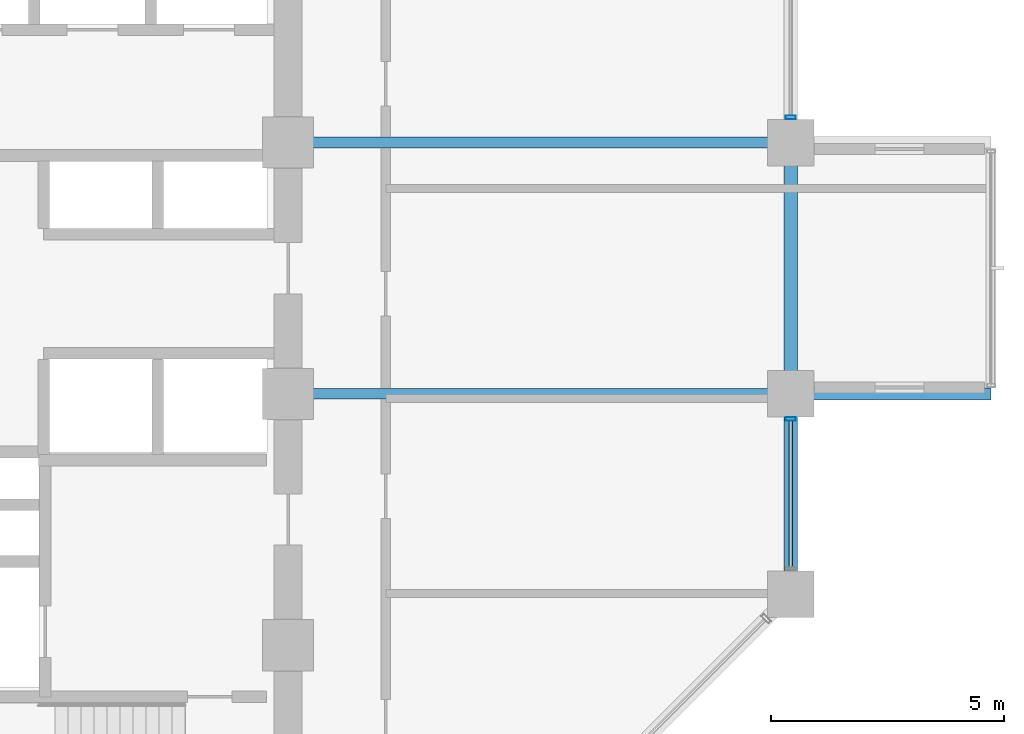
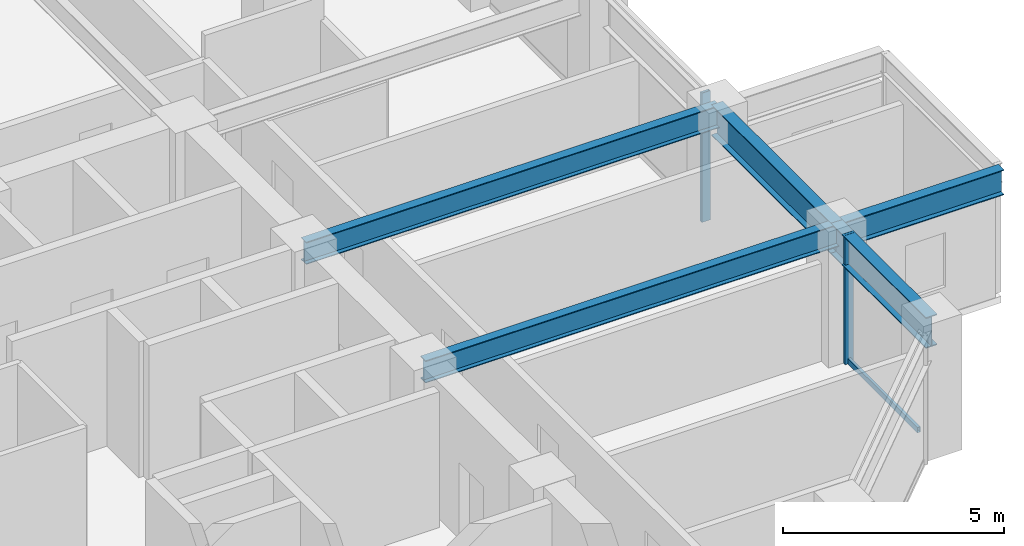
# One storey, part 9 of 26: 5 beams, 3 members, 2 elements without a shape of their own.
"""IFC4 building model written with IfcOpenShell, lengths in metres."""

from ifc_helpers import new_model, si_unit, direction, frame, origin, origin_2d, place, context, subcontext, project, spatial, hollow_rectangle, i_section, extrude, material, layer, layer_set, material_profile, profile_set, type_object, element, aggregate, save


model = new_model("IFC4")

# Units and contexts
model_context = context("Model", 3, precision=1e-05, world=origin(), true_north=direction((0.0, 1.0)))
body_context = subcontext(model_context, "Body", "Model", "MODEL_VIEW")
ifc_project = project(units=[si_unit("LENGTHUNIT", "METRE"), si_unit("AREAUNIT", "SQUARE_METRE"), si_unit("VOLUMEUNIT", "CUBIC_METRE"), si_unit("PLANEANGLEUNIT", "RADIAN"), si_unit("MASSUNIT", "GRAM", prefix="KILO")], contexts=[model_context])

# Site, building, storey
site_placement = place(None, origin())
site = spatial("IfcSite", under=ifc_project, at=site_placement, CompositionType="ELEMENT")
building_placement = place(site_placement, origin())
building = spatial("IfcBuilding", under=site, at=building_placement, Name="Surkhivell Harbour Commons", CompositionType="ELEMENT")
storey_placement = place(building_placement, frame((0.0, 0.0, 147.0)))
storey = spatial("IfcBuildingStorey", under=building, at=storey_placement, Name="L38", CompositionType="ELEMENT", Elevation=147.0)

# Beams
ifc_material_1 = material(Name="Steel S460", Category="steel")
ifc_material_profile_1 = material_profile(ifc_material_1, i_section(OverallWidth=0.256103515625, OverallDepth=0.693115234375, WebThickness=0.014404296875, FlangeThickness=0.023681640625, at=origin_2d()), Name="UB686x254x170")
ifc_profile_set_1 = profile_set([ifc_material_profile_1], Name="Steel S460")
beam_type_1 = type_object("IfcBeamType", Name="BM-CNT-686", PredefinedType="BEAM", material=ifc_profile_set_1)
beam_1_placement = place(storey_placement, frame((21.60009765625, 0.0, 3.223388671875), z_axis=(1.0, 0.0, 0.0), x_axis=(0.0, 1.0, 0.0)))
element("IfcBeam", 1, at=beam_1_placement, inside=storey, type_object=beam_type_1, Name="L38 Box Cantilever Outrigger (21.6,0.0)", PredefinedType="BEAM", context=body_context, shape_type="SweptSolid", body=[
    extrude(i_section(OverallWidth=0.256103515625, OverallDepth=0.693115234375, WebThickness=0.014404296875, FlangeThickness=0.023681640625, at=origin_2d()), origin(), (0.0, 0.0, 1.0), 4.2998046875),
])
ifc_material_2 = material(Name="Steel S355", Category="steel")
ifc_material_profile_2 = material_profile(ifc_material_2, i_section(OverallWidth=0.22998046875, OverallDepth=0.616943359375, WebThickness=0.01318359375, FlangeThickness=0.022216796875, at=origin_2d()), Name="UB610x229x140")
ifc_profile_set_2 = profile_set([ifc_material_profile_2], Name="Steel S355")
beam_type_2 = type_object("IfcBeamType", Name="BM-GRD-610B", PredefinedType="BEAM", material=ifc_profile_set_2)
for number, where, z_axis, x_axis, name in (
    (2, (10.800048828125, 0.0, 3.261474609375), (1.0, 0.0, 0.0), (0.0, 1.0, 0.0), "L38 Cantilever Back-Span Girder (10.8,0.0)"),
    (3, (10.800048828125, 5.39990234375, 3.261474609375), (1.0, 0.0, 0.0), (0.0, 1.0, 0.0), "L38 Cantilever Back-Span Girder (10.8,5.4)"),
):
    element("IfcBeam", number, at=place(storey_placement, frame(where, z_axis=z_axis, x_axis=x_axis)), inside=storey, type_object=beam_type_2, Name=name, PredefinedType="BEAM", context=body_context, shape_type="SweptSolid", body=[
        extrude(i_section(OverallWidth=0.22998046875, OverallDepth=0.616943359375, WebThickness=0.01318359375, FlangeThickness=0.022216796875, at=origin_2d()), origin(), (0.0, 0.0, 1.0), 10.800048828125),
    ])
ifc_material_profile_3 = material_profile(ifc_material_1, i_section(OverallWidth=0.2939453125, OverallDepth=0.85107421875, WebThickness=0.01611328125, FlangeThickness=0.02685546875, at=origin_2d()), Name="UB838x292x226")
ifc_profile_set_3 = profile_set([ifc_material_profile_3], Name="Steel S460")
beam_type_3 = type_object("IfcBeamType", Name="BM-SPN-838", PredefinedType="SPANDREL", material=ifc_profile_set_3)
beam_2_placement = place(storey_placement, frame((21.60009765625, -4.300048828125, 3.14453125), z_axis=(0.0, 1.0, 0.0), x_axis=(-1.0, 0.0, 0.0)))
element("IfcBeam", 4, at=beam_2_placement, inside=storey, type_object=beam_type_3, Name="L38 Tube Spandrel (21.6,-4.3)", PredefinedType="SPANDREL", context=body_context, shape_type="SweptSolid", body=[
    extrude(i_section(OverallWidth=0.2939453125, OverallDepth=0.85107421875, WebThickness=0.01611328125, FlangeThickness=0.02685546875, at=origin_2d()), origin(), (0.0, 0.0, 1.0), 4.300048828125),
])
beam_3_placement = place(storey_placement, frame((21.60009765625, 0.0, 3.14453125), z_axis=(0.0, 1.0, 0.0), x_axis=(-1.0, 0.0, 0.0)))
element("IfcBeam", 5, at=beam_3_placement, inside=storey, type_object=beam_type_3, Name="L38 Tube Spandrel (21.6,0.0)", PredefinedType="SPANDREL", context=body_context, shape_type="SweptSolid", body=[
    extrude(i_section(OverallWidth=0.2939453125, OverallDepth=0.85107421875, WebThickness=0.01611328125, FlangeThickness=0.02685546875, at=origin_2d()), origin(), (0.0, 0.0, 1.0), 5.39990234375),
])

# Curtain wall, member
ifc_material_3 = material(Name="Anodised pale-metal aluminium and insulated glazing", Category="aluminium")
ifc_layer = layer(ifc_material_3, 0.205078125)
ifc_layer_set = layer_set([ifc_layer], Name="Anodised pale-metal aluminium and insulated glazing")
curtain_wall_type = type_object("IfcCurtainWallType", Name="CW-SYS-Z2", PredefinedType="NOTDEFINED", material=ifc_layer_set)
curtain_wall_1_placement = place(storey_placement, origin())
curtain_wall_1 = element("IfcCurtainWall", 6, at=curtain_wall_1_placement, inside=storey, type_object=curtain_wall_type, Name="L38 Curtain Wall CW-L38-E02R1", PredefinedType="NOTDEFINED")
ifc_material_4 = material(Name="Anodised pale-metal aluminium alloy 6063-T6", Category="aluminium")
ifc_material_profile_4 = material_profile(ifc_material_4, hollow_rectangle(XDim=0.074951171875, YDim=0.219970703125, WallThickness=0.00390625, at=origin_2d()), Name="ALU-MULL-75x220")
ifc_profile_set_4 = profile_set([ifc_material_profile_4], Name="Anodised pale-metal aluminium alloy 6063-T6")
member_type_1 = type_object("IfcMemberType", Name="CWM-220", PredefinedType="MULLION", material=ifc_profile_set_4)
member_1_placement = place(storey_placement, frame((21.60009765625, -0.53955078125, 0.0), z_axis=(0.0, 0.0, 1.0), x_axis=(0.0, 1.0, 0.0)))
member_1 = element("IfcMember", 7, at=member_1_placement, type_object=member_type_1, Name="CW-Z2 mullion 2", PredefinedType="MULLION", context=body_context, shape_type="SweptSolid", body=[
    extrude(hollow_rectangle(XDim=0.074951171875, YDim=0.219970703125, WallThickness=0.00390625, at=origin_2d()), origin(), (0.0, 0.0, 1.0), 3.570068359375),
])

curtain_wall_2_placement = place(storey_placement, origin())
curtain_wall_2 = element("IfcCurtainWall", 8, at=curtain_wall_2_placement, inside=storey, type_object=curtain_wall_type, Name="L38 Curtain Wall CW-L38-E02R2", PredefinedType="NOTDEFINED")
member_2_placement = place(storey_placement, frame((21.60009765625, 5.939453125, 0.0), z_axis=(0.0, 0.0, 1.0), x_axis=(0.0, 1.0, 0.0)))
member_2 = element("IfcMember", 9, at=member_2_placement, type_object=member_type_1, Name="CW-Z2 mullion 1", PredefinedType="MULLION", context=body_context, shape_type="SweptSolid", body=[
    extrude(hollow_rectangle(XDim=0.074951171875, YDim=0.219970703125, WallThickness=0.00390625, at=origin_2d()), origin(), (0.0, 0.0, 1.0), 3.570068359375),
])
aggregate(curtain_wall_2, [member_2])

# Member
ifc_material_profile_5 = material_profile(ifc_material_4, hollow_rectangle(XDim=0.074951171875, YDim=0.14990234375, WallThickness=0.00341796875, at=origin_2d()), Name="ALU-TRAN-75x150")
ifc_profile_set_5 = profile_set([ifc_material_profile_5], Name="Anodised pale-metal aluminium alloy 6063-T6")
member_type_2 = type_object("IfcMemberType", Name="CWT-150", PredefinedType="USERDEFINED", material=ifc_profile_set_5)
member_3_placement = place(storey_placement, frame((21.60009765625, -3.722900390625, 0.074951171875), z_axis=(0.0, 1.0, 0.0), x_axis=(-1.0, 0.0, 0.0)))
member_3 = element("IfcMember", 10, at=member_3_placement, type_object=member_type_2, Name="CW-Z2 transom 1.1", ObjectType="TRANSOM", PredefinedType="USERDEFINED", context=body_context, shape_type="SweptSolid", body=[
    extrude(hollow_rectangle(XDim=0.074951171875, YDim=0.14990234375, WallThickness=0.00341796875, at=origin_2d()), origin(), (0.0, 0.0, 1.0), 3.14599609375),
])

aggregate(curtain_wall_1, [member_1, member_3])

save(model, "model.ifc")
